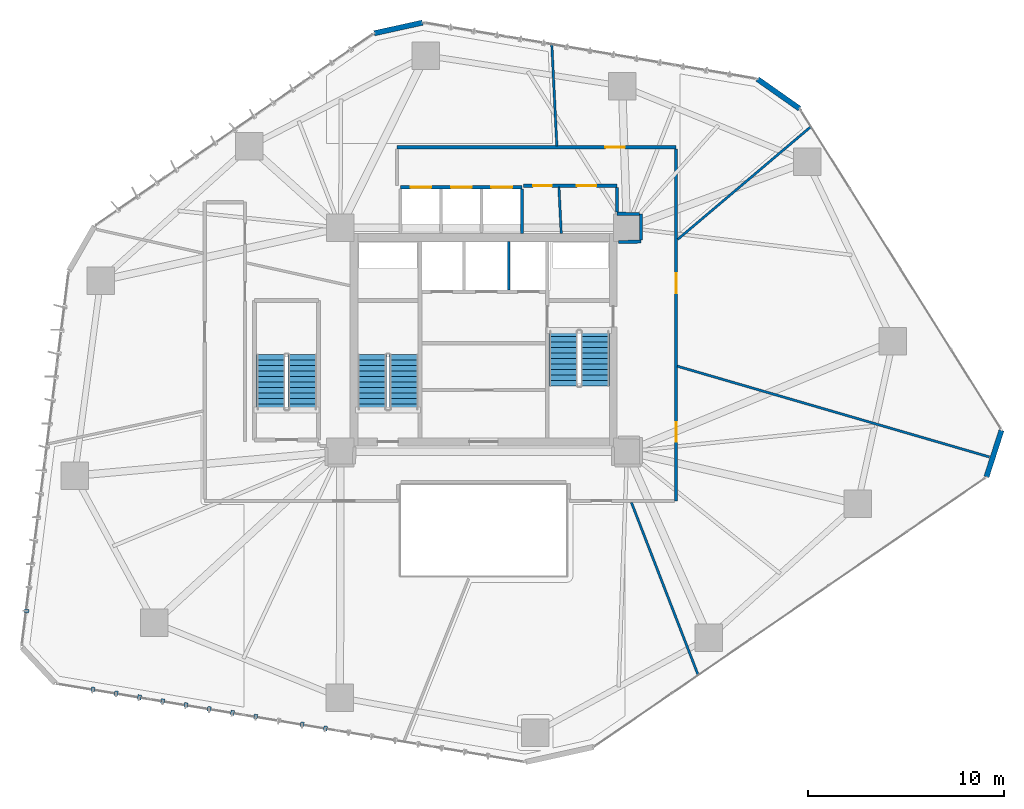
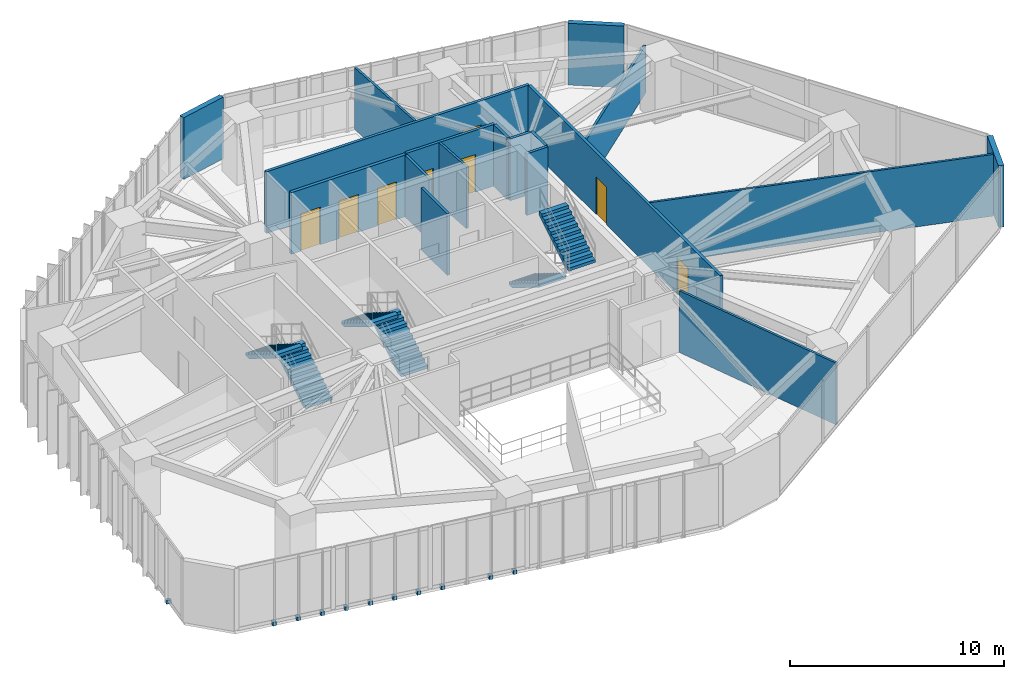
# One storey, part 18 of 21: 18 walls, 11 discrete accessories, 8 doors, 6 stair flights, 8 openings, 3 elements without a shape of their own.
"""IFC4 building model written with IfcOpenShell, lengths in metres."""

from ifc_helpers import new_model, si_unit, direction, frame, frame_2d, origin, origin_2d, place, context, subcontext, project, spatial, polyline, rectangle, outline, extrude, source, transform, mapped, material, layer, layer_set, type_object, type_shapes, element, fill, aggregate, save


model = new_model("IFC4")

# Units and contexts
model_context = context("Model", 3, precision=1e-05, world=origin(), true_north=direction((0.0, 1.0)))
body_context = subcontext(model_context, "Body", "Model", "MODEL_VIEW")
ifc_project = project(units=[si_unit("LENGTHUNIT", "METRE"), si_unit("AREAUNIT", "SQUARE_METRE"), si_unit("VOLUMEUNIT", "CUBIC_METRE"), si_unit("PLANEANGLEUNIT", "RADIAN"), si_unit("MASSUNIT", "GRAM", prefix="KILO")], contexts=[model_context])

# Site, building, storey
site_placement = place(None, origin())
site = spatial("IfcSite", under=ifc_project, at=site_placement, CompositionType="ELEMENT")
building_placement = place(site_placement, origin())
building = spatial("IfcBuilding", under=site, at=building_placement, Name="Talar Marvaseh", CompositionType="ELEMENT")
storey_placement = place(building_placement, frame((0.0, 0.0, 62.0)))
storey = spatial("IfcBuildingStorey", under=building, at=storey_placement, Name="L15", CompositionType="ELEMENT", Elevation=62.0)

# Walls
ifc_material_1 = material(Name="Precast concrete C45/55", Category="concrete")
ifc_layer_1 = layer(ifc_material_1, 0.27001953125)
ifc_layer_set_1 = layer_set([ifc_layer_1], Name="Precast concrete C45/55")
wall_type_1 = type_object("IfcWallType", Name="Chamfered Hexagonal Corner Pier Wall Z1 270", PredefinedType="SOLIDWALL", material=ifc_layer_set_1)
wall_1_placement = place(storey_placement, frame((20.43212890625, 46.802490234375, 0.0), z_axis=(0.0, 0.0, 1.0), x_axis=(0.976310187, 0.216375642716, 0.0)))
element("IfcWall", 1, at=wall_1_placement, inside=storey, type_object=wall_type_1, Name="L15 Chamfered Corner Limestone Pier 3", PredefinedType="SOLIDWALL", context=body_context, shape_type="SweptSolid", body=[
    extrude(rectangle(XDim=2.51611328125, YDim=0.27001953125, at=frame_2d((1.258056640625, 0.0))), origin(), (0.0, 0.0, 1.0), 3.52001953125),
])
wall_2_placement = place(storey_placement, frame((39.943603515625, 44.470703125, 0.0), z_axis=(0.0, 0.0, 1.0), x_axis=(0.817856705522, -0.575421940173, 0.0)))
element("IfcWall", 2, at=wall_2_placement, inside=storey, type_object=wall_type_1, Name="L15 Chamfered Corner Limestone Pier 4", PredefinedType="SOLIDWALL", context=body_context, shape_type="SweptSolid", body=[
    extrude(rectangle(XDim=2.623291015625, YDim=0.27001953125, at=frame_2d((1.3115234375, 0.0))), origin(), (0.0, 0.0, 1.0), 3.52001953125),
])
wall_3_placement = place(storey_placement, frame((52.365234375, 26.582275390625, 0.0), z_axis=(0.0, 0.0, 1.0), x_axis=(-0.307723463328, -0.951475837905, 0.0)))
element("IfcWall", 3, at=wall_3_placement, inside=storey, type_object=wall_type_1, Name="L15 Chamfered Corner Limestone Pier 5", PredefinedType="SOLIDWALL", context=body_context, shape_type="SweptSolid", body=[
    extrude(rectangle(XDim=2.484130859375, YDim=0.27001953125, at=frame_2d((1.2421875, 0.0))), origin(), (0.0, 0.0, 1.0), 3.52001953125),
])

# Wall, openings, doors
ifc_material_2 = material(Name="Gypsum Board Partition Assembly")
ifc_layer_2 = layer(ifc_material_2, 0.155029296875)
ifc_layer_set_2 = layer_set([ifc_layer_2], Name="Gypsum Board Partition Assembly")
wall_type_2 = type_object("IfcWallType", Name="Corridor Fire-Rated Acoustic Partition 155", PredefinedType="PARTITIONING", material=ifc_layer_set_2)
wall_4_placement = place(storey_placement, frame((32.800048828125, 39.0400390625, 0.0), z_axis=(0.0, 0.0, 1.0), x_axis=(-1.0, 0.0, 0.0)))
wall_4 = element("IfcWall", 4, at=wall_4_placement, inside=storey, type_object=wall_type_2, Name="L15 Interior Partition Wall", PredefinedType="PARTITIONING", context=body_context, shape_type="SweptSolid", body=[
    extrude(rectangle(XDim=4.77001953125, YDim=0.155029296875, at=frame_2d((2.385009765625, 0.0))), origin(), (0.0, 0.0, 1.0), 3.52001953125),
])
opening_1_placement = place(wall_4_placement, frame((1.056884765625, 0.0, 0.0)))
opening_1 = element("IfcOpeningElement", 5, at=opening_1_placement, cuts=wall_4, Name="Opening DR-RM100", PredefinedType="OPENING", context=body_context, shape_type="SweptSolid", body=[
    extrude(rectangle(XDim=1.0, YDim=2.14990234375, at=frame_2d((0.5, 1.074951171875))), frame((0.0, 0.08740234375, 0.0), z_axis=(0.0, -1.0, 0.0), x_axis=(1.0, 0.0, 0.0)), (0.0, 0.0, 1.0), 0.175048828125),
])
opening_2_placement = place(wall_4_placement, frame((3.326904296875, 0.0, 0.0)))
opening_2 = element("IfcOpeningElement", 6, at=opening_2_placement, cuts=wall_4, Name="Opening DR-WC095", PredefinedType="OPENING", context=body_context, shape_type="SweptSolid", body=[
    extrude(rectangle(XDim=0.949951171875, YDim=2.14990234375, at=frame_2d((0.47509765625, 1.074951171875))), frame((0.0, 0.08740234375, 0.0), z_axis=(0.0, -1.0, 0.0), x_axis=(1.0, 0.0, 0.0)), (0.0, 0.0, 1.0), 0.175048828125),
])
ifc_material_3 = material(Name="Acoustic Engineered Oak Timber", Category="wood")
door_type_1 = type_object("IfcDoorType", Name="Washroom and Service Room Door 950x2150", OperationType="NOTDEFINED", PredefinedType="DOOR", material=ifc_material_3)
shared_shape_1 = source(origin(), body_context, "Body", "SweptSolid", [
    extrude(rectangle(XDim=0.949951171875, YDim=2.14990234375, at=frame_2d((0.47509765625, 1.074951171875))), frame((0.0, 0.02490234375, 0.0), z_axis=(0.0, -1.0, 0.0), x_axis=(1.0, 0.0, 0.0)), (0.0, 0.0, 1.0), 0.050048828125),
])
type_shapes(door_type_1, [shared_shape_1])
door_1_placement = place(opening_2_placement, origin())
door_1 = element("IfcDoor", 7, at=door_1_placement, inside=storey, type_object=door_type_1, Name="L15 WC Public Washrooms Door", OperationType="SINGLE_SWING_RIGHT", OverallHeight=2.14990234375, OverallWidth=0.949951171875, PredefinedType="DOOR", context=body_context, shape_type="MappedRepresentation", body=[
    mapped(shared_shape_1, transform((0.0, 0.0, 0.0), x_axis=(1.0, 0.0, 0.0), y_axis=(0.0, 1.0, 0.0), z_axis=(0.0, 0.0, 1.0), scale=1.0)),
])
fill(opening_2, door_1)
door_type_2 = type_object("IfcDoorType", Name="Corridor Fire-Rated Gallery Door 1000x2150", OperationType="NOTDEFINED", PredefinedType="DOOR", material=ifc_material_3)
shared_shape_2 = source(origin(), body_context, "Body", "SweptSolid", [
    extrude(rectangle(XDim=1.0, YDim=2.14990234375, at=frame_2d((0.5, 1.074951171875))), frame((0.0, 0.02490234375, 0.0), z_axis=(0.0, -1.0, 0.0), x_axis=(1.0, 0.0, 0.0)), (0.0, 0.0, 1.0), 0.050048828125),
])
type_shapes(door_type_2, [shared_shape_2])
door_2_placement = place(opening_1_placement, origin())
door_2 = element("IfcDoor", 8, at=door_2_placement, inside=storey, type_object=door_type_2, Name="L15 Archival Facsimile Boutique Door", OperationType="SINGLE_SWING_LEFT", OverallHeight=2.14990234375, OverallWidth=1.0, PredefinedType="DOOR", context=body_context, shape_type="MappedRepresentation", body=[
    mapped(shared_shape_2, transform((0.0, 0.0, 0.0), x_axis=(1.0, 0.0, 0.0), y_axis=(0.0, 1.0, 0.0), z_axis=(0.0, 0.0, 1.0), scale=1.0)),
])
fill(opening_1, door_2)

# Wall, opening, door
wall_5_placement = place(storey_placement, frame((21.60009765625, 41.0, 0.0), z_axis=(0.0, 0.0, 1.0), x_axis=(1.0, 0.0, 0.0)))
wall_5 = element("IfcWall", 9, at=wall_5_placement, inside=storey, type_object=wall_type_2, Name="L15 Interior Partition Wall", PredefinedType="PARTITIONING", context=body_context, shape_type="SweptSolid", body=[
    extrude(rectangle(XDim=14.199951171875, YDim=0.155029296875, at=frame_2d((7.10009765625, 0.0))), origin(), (0.0, 0.0, 1.0), 3.52001953125),
])
opening_3_placement = place(wall_5_placement, frame((10.59423828125, 0.0, 0.0)))
opening_3 = element("IfcOpeningElement", 10, at=opening_3_placement, cuts=wall_5, Name="Opening DR-RM100", PredefinedType="OPENING", context=body_context, shape_type="SweptSolid", body=[
    extrude(rectangle(XDim=1.0, YDim=2.14990234375, at=frame_2d((0.5, 1.074951171875))), frame((0.0, 0.08740234375, 0.0), z_axis=(0.0, -1.0, 0.0), x_axis=(1.0, 0.0, 0.0)), (0.0, 0.0, 1.0), 0.175048828125),
])
door_3_placement = place(opening_3_placement, origin())
door_3 = element("IfcDoor", 11, at=door_3_placement, inside=storey, type_object=door_type_2, Name="L15 Chamber Recital Salon Door", OperationType="SINGLE_SWING_RIGHT", OverallHeight=2.14990234375, OverallWidth=1.0, PredefinedType="DOOR", context=body_context, shape_type="MappedRepresentation", body=[
    mapped(shared_shape_2, transform((0.0, 0.0, 0.0), x_axis=(1.0, 0.0, 0.0), y_axis=(0.0, 1.0, 0.0), z_axis=(0.0, 0.0, 1.0), scale=1.0)),
])
fill(opening_3, door_3)

# Wall, openings, doors
wall_6_placement = place(storey_placement, frame((35.800048828125, 40.91650390625, 0.0), z_axis=(0.0, 0.0, 1.0), x_axis=(0.0, -1.0, 0.0)))
wall_6 = element("IfcWall", 12, at=wall_6_placement, inside=storey, type_object=wall_type_2, Name="L15 Interior Partition Wall", PredefinedType="PARTITIONING", context=body_context, shape_type="SweptSolid", body=[
    extrude(rectangle(XDim=17.91650390625, YDim=0.155029296875, at=frame_2d((8.958251953125, 0.0))), origin(), (0.0, 0.0, 1.0), 3.52001953125),
])
opening_4_placement = place(wall_6_placement, frame((13.91162109375, 0.0, 0.0)))
opening_4 = element("IfcOpeningElement", 13, at=opening_4_placement, cuts=wall_6, Name="Opening DR-RM100", PredefinedType="OPENING", context=body_context, shape_type="SweptSolid", body=[
    extrude(rectangle(XDim=1.0, YDim=2.14990234375, at=frame_2d((0.5, 1.074951171875))), frame((0.0, 0.08740234375, 0.0), z_axis=(0.0, -1.0, 0.0), x_axis=(1.0, 0.0, 0.0)), (0.0, 0.0, 1.0), 0.175048828125),
])
opening_5_placement = place(wall_6_placement, frame((6.339599609375, 0.0, 0.0)))
opening_5 = element("IfcOpeningElement", 14, at=opening_5_placement, cuts=wall_6, Name="Opening DR-RM100", PredefinedType="OPENING", context=body_context, shape_type="SweptSolid", body=[
    extrude(rectangle(XDim=1.0, YDim=2.14990234375, at=frame_2d((0.5, 1.074951171875))), frame((0.0, 0.08740234375, 0.0), z_axis=(0.0, -1.0, 0.0), x_axis=(1.0, 0.0, 0.0)), (0.0, 0.0, 1.0), 0.175048828125),
])
door_4_placement = place(opening_4_placement, origin())
door_4 = element("IfcDoor", 15, at=door_4_placement, inside=storey, type_object=door_type_2, Name="L15 Main Reading Room Door", OperationType="SINGLE_SWING_RIGHT", OverallHeight=2.14990234375, OverallWidth=1.0, PredefinedType="DOOR", context=body_context, shape_type="MappedRepresentation", body=[
    mapped(shared_shape_2, transform((0.0, 0.0, 0.0), x_axis=(1.0, 0.0, 0.0), y_axis=(0.0, 1.0, 0.0), z_axis=(0.0, 0.0, 1.0), scale=1.0)),
])
fill(opening_4, door_4)
door_5_placement = place(opening_5_placement, origin())
door_5 = element("IfcDoor", 16, at=door_5_placement, inside=storey, type_object=door_type_2, Name="L15 Artisan Craft Showroom Door", OperationType="SINGLE_SWING_LEFT", OverallHeight=2.14990234375, OverallWidth=1.0, PredefinedType="DOOR", context=body_context, shape_type="MappedRepresentation", body=[
    mapped(shared_shape_2, transform((0.0, 0.0, 0.0), x_axis=(1.0, 0.0, 0.0), y_axis=(0.0, 1.0, 0.0), z_axis=(0.0, 0.0, 1.0), scale=1.0)),
])
fill(opening_5, door_5)

# Walls
wall_7_placement = place(storey_placement, frame((32.8701171875, 36.18505859375, 0.0), z_axis=(0.0, 0.0, 1.0), x_axis=(0.999988932255, 0.00470482389, 0.0)))
element("IfcWall", 17, at=wall_7_placement, inside=storey, type_object=wall_type_2, Name="L15 Interior Partition Wall", PredefinedType="PARTITIONING", context=body_context, shape_type="SweptSolid", body=[
    extrude(rectangle(XDim=1.1416015625, YDim=0.155029296875, at=frame_2d((0.57080078125, 0.0))), origin(), (0.0, 0.0, 1.0), 3.52001953125),
])
wall_8_placement = place(storey_placement, frame((34.01171875, 36.27392578125, 0.0), z_axis=(0.0, 0.0, 1.0), x_axis=(0.0, 1.0, 0.0)))
element("IfcWall", 18, at=wall_8_placement, inside=storey, type_object=wall_type_2, Name="L15 Interior Partition Wall", PredefinedType="PARTITIONING", context=body_context, shape_type="SweptSolid", body=[
    extrude(rectangle(XDim=1.335693359375, YDim=0.155029296875, at=frame_2d((0.66796875, 0.0))), origin(), (0.0, 0.0, 1.0), 3.52001953125),
])
wall_9_placement = place(storey_placement, frame((33.927978515625, 37.60986328125, 0.0), z_axis=(0.0, 0.0, 1.0), x_axis=(-0.999989669582, 0.004545407589, 0.0)))
element("IfcWall", 19, at=wall_9_placement, inside=storey, type_object=wall_type_2, Name="L15 Interior Partition Wall", PredefinedType="PARTITIONING", context=body_context, shape_type="SweptSolid", body=[
    extrude(rectangle(XDim=1.1279296875, YDim=0.155029296875, at=frame_2d((0.56396484375, 0.0))), origin(), (0.0, 0.0, 1.0), 3.52001953125),
])
wall_10_placement = place(storey_placement, frame((32.800048828125, 37.698486328125, 0.0), z_axis=(0.0, 0.0, 1.0), x_axis=(0.0, 1.0, 0.0)))
element("IfcWall", 20, at=wall_10_placement, inside=storey, type_object=wall_type_2, Name="L15 Interior Partition Wall", PredefinedType="PARTITIONING", context=body_context, shape_type="SweptSolid", body=[
    extrude(rectangle(XDim=1.258056640625, YDim=0.155029296875, at=frame_2d((0.62890625, 0.0))), origin(), (0.0, 0.0, 1.0), 3.52001953125),
])
ifc_layer_3 = layer(ifc_material_2, 0.1201171875)
ifc_layer_set_3 = layer_set([ifc_layer_3], Name="Gypsum Board Partition Assembly")
wall_type_3 = type_object("IfcWallType", Name="Demountable Studio Room Partition 120", PredefinedType="PARTITIONING", material=ifc_layer_set_3)
wall_11_placement = place(storey_placement, frame((33.522216796875, 22.91650390625, 0.0), z_axis=(0.0, 0.0, 1.0), x_axis=(0.360639472905, -0.932705296748, 0.0)))
element("IfcWall", 21, at=wall_11_placement, inside=storey, type_object=wall_type_3, Name="L15 Interior Partition Wall", PredefinedType="PARTITIONING", context=body_context, shape_type="SweptSolid", body=[
    extrude(rectangle(XDim=9.406494140625, YDim=0.1201171875, at=frame_2d((4.703125, 0.0))), origin(), (0.0, 0.0, 1.0), 3.52001953125),
])
wall_12_placement = place(storey_placement, frame((35.8623046875, 29.851806640625, 0.0), z_axis=(0.0, 0.0, 1.0), x_axis=(0.960218679085, -0.279249151005, 0.0)))
element("IfcWall", 22, at=wall_12_placement, inside=storey, type_object=wall_type_3, Name="L15 Interior Partition Wall", PredefinedType="PARTITIONING", context=body_context, shape_type="SweptSolid", body=[
    extrude(rectangle(XDim=16.545654296875, YDim=0.1201171875, at=frame_2d((8.27294921875, 0.0))), origin(), (0.0, 0.0, 1.0), 3.52001953125),
])
wall_13_placement = place(storey_placement, frame((35.883544921875, 36.310791015625, 0.0), z_axis=(0.0, 0.0, 1.0), x_axis=(0.763275499746, 0.646073147165, 0.0)))
element("IfcWall", 23, at=wall_13_placement, inside=storey, type_object=wall_type_3, Name="L15 Interior Partition Wall", PredefinedType="PARTITIONING", context=body_context, shape_type="SweptSolid", body=[
    extrude(rectangle(XDim=8.861328125, YDim=0.1201171875, at=frame_2d((4.4306640625, 0.0))), origin(), (0.0, 0.0, 1.0), 2.721923828125),
])
wall_14_placement = place(storey_placement, frame((29.726806640625, 41.06494140625, 0.0), z_axis=(0.0, 0.0, 1.0), x_axis=(-0.049550506317, 0.998771619202, 0.0)))
element("IfcWall", 24, at=wall_14_placement, inside=storey, type_object=wall_type_3, Name="L15 Interior Partition Wall", PredefinedType="PARTITIONING", context=body_context, shape_type="SweptSolid", body=[
    extrude(rectangle(XDim=5.15869140625, YDim=0.1201171875, at=frame_2d((2.579345703125, 0.0))), origin(), (0.0, 0.0, 1.0), 3.52001953125),
])
wall_15_placement = place(storey_placement, frame((29.949951171875, 36.60009765625, 0.0), z_axis=(0.0, 0.0, 1.0), x_axis=(-0.049077302831, 0.998794983141, 0.0)))
element("IfcWall", 25, at=wall_15_placement, inside=storey, type_object=wall_type_3, Name="L15 Interior Partition Wall", PredefinedType="PARTITIONING", context=body_context, shape_type="SweptSolid", body=[
    extrude(rectangle(XDim=2.3779296875, YDim=0.1201171875, at=frame_2d((1.18896484375, 0.0))), origin(), (0.0, 0.0, 1.0), 3.52001953125),
])
ifc_layer_4 = layer(ifc_material_1, 0.14501953125)
ifc_layer_set_4 = layer_set([ifc_layer_4], Name="Precast concrete C45/55")
wall_type_4 = type_object("IfcWallType", Name="Fire-Rated Lift Divider Wall 145", PredefinedType="SOLIDWALL", material=ifc_layer_set_4)
wall_16_placement = place(storey_placement, frame((27.280029296875, 33.743408203125, 0.0), z_axis=(0.0, 0.0, 1.0), x_axis=(0.0, 1.0, 0.0)))
element("IfcWall", 26, at=wall_16_placement, inside=storey, type_object=wall_type_4, Name="L15 FFL-2/SVL-1 Divider", PredefinedType="SOLIDWALL", context=body_context, shape_type="SweptSolid", body=[
    extrude(rectangle(XDim=2.45654296875, YDim=0.14501953125, at=frame_2d((1.228271484375, 0.0))), origin(), (0.0, 0.0, 1.0), 3.52001953125),
])
wall_17_placement = place(storey_placement, frame((27.9599609375, 36.60009765625, 0.0), z_axis=(0.0, 0.0, 1.0), x_axis=(0.0, 1.0, 0.0)))
element("IfcWall", 27, at=wall_17_placement, inside=storey, type_object=wall_type_4, Name="L15 Low-Rise Bank East Wall", PredefinedType="SOLIDWALL", context=body_context, shape_type="SweptSolid", body=[
    extrude(rectangle(XDim=2.266357421875, YDim=0.14501953125, at=frame_2d((1.13330078125, 0.0))), origin(), (0.0, 0.0, 1.0), 3.52001953125),
])

# Wall, openings, doors
ifc_layer_5 = layer(ifc_material_1, 0.175048828125)
ifc_layer_set_5 = layer_set([ifc_layer_5], Name="Precast concrete C45/55")
wall_type_5 = type_object("IfcWallType", Name="Fire-Rated Lift Hoistway Enclosure Wall 175", PredefinedType="SOLIDWALL", material=ifc_layer_set_5)
wall_18_placement = place(storey_placement, frame((21.760009765625, 38.9599609375, 0.0), z_axis=(0.0, 0.0, 1.0), x_axis=(1.0, 0.0, 0.0)))
wall_18 = element("IfcWall", 28, at=wall_18_placement, inside=storey, type_object=wall_type_5, Name="L15 Low-Rise Lift Bank Front Wall", PredefinedType="SOLIDWALL", context=body_context, shape_type="SweptSolid", body=[
    extrude(rectangle(XDim=6.199951171875, YDim=0.175048828125, at=frame_2d((3.10009765625, 0.0))), origin(), (0.0, 0.0, 1.0), 3.52001953125),
])
opening_6_placement = place(wall_18_placement, frame((0.52001953125, 0.0, 0.0)))
opening_6 = element("IfcOpeningElement", 29, at=opening_6_placement, cuts=wall_18, Name="Opening LD-PLL1", PredefinedType="OPENING", context=body_context, shape_type="SweptSolid", body=[
    extrude(rectangle(XDim=1.050048828125, YDim=2.14990234375, at=frame_2d((0.52490234375, 1.074951171875))), frame((0.0, 0.09765625, 0.0), z_axis=(0.0, -1.0, 0.0), x_axis=(1.0, 0.0, 0.0)), (0.0, 0.0, 1.0), 0.195068359375),
])
opening_7_placement = place(wall_18_placement, frame((2.580078125, 0.0, 0.0)))
opening_7 = element("IfcOpeningElement", 30, at=opening_7_placement, cuts=wall_18, Name="Opening LD-PLL2", PredefinedType="OPENING", context=body_context, shape_type="SweptSolid", body=[
    extrude(rectangle(XDim=1.050048828125, YDim=2.14990234375, at=frame_2d((0.52490234375, 1.074951171875))), frame((0.0, 0.09765625, 0.0), z_axis=(0.0, -1.0, 0.0), x_axis=(1.0, 0.0, 0.0)), (0.0, 0.0, 1.0), 0.195068359375),
])
opening_8_placement = place(wall_18_placement, frame((4.639892578125, 0.0, 0.0)))
opening_8 = element("IfcOpeningElement", 31, at=opening_8_placement, cuts=wall_18, Name="Opening LD-PLL3", PredefinedType="OPENING", context=body_context, shape_type="SweptSolid", body=[
    extrude(rectangle(XDim=1.050048828125, YDim=2.14990234375, at=frame_2d((0.52490234375, 1.074951171875))), frame((0.0, 0.09765625, 0.0), z_axis=(0.0, -1.0, 0.0), x_axis=(1.0, 0.0, 0.0)), (0.0, 0.0, 1.0), 0.195068359375),
])
ifc_material_4 = material(Name="Stainless Steel Grade 316", Category="steel")
door_type_3 = type_object("IfcDoorType", Name="Automatic Sliding Lift Landing Door 1050x2150", OperationType="NOTDEFINED", PredefinedType="DOOR", material=ifc_material_4)
shared_shape_3 = source(origin(), body_context, "Body", "SweptSolid", [
    extrude(rectangle(XDim=1.050048828125, YDim=2.14990234375, at=frame_2d((0.52490234375, 1.074951171875))), frame((0.0, 0.02490234375, 0.0), z_axis=(0.0, -1.0, 0.0), x_axis=(1.0, 0.0, 0.0)), (0.0, 0.0, 1.0), 0.050048828125),
])
type_shapes(door_type_3, [shared_shape_3])
door_6_placement = place(opening_6_placement, origin())
door_6 = element("IfcDoor", 32, at=door_6_placement, inside=storey, type_object=door_type_3, Name="L15 Lift PL-L1 Sliding Landing Door", OperationType="SLIDING_TO_LEFT", OverallHeight=2.14990234375, OverallWidth=1.050048828125, PredefinedType="DOOR", context=body_context, shape_type="MappedRepresentation", body=[
    mapped(shared_shape_3, transform((0.0, 0.0, 0.0), x_axis=(1.0, 0.0, 0.0), y_axis=(0.0, 1.0, 0.0), z_axis=(0.0, 0.0, 1.0), scale=1.0)),
])
fill(opening_6, door_6)
door_7_placement = place(opening_7_placement, origin())
door_7 = element("IfcDoor", 33, at=door_7_placement, inside=storey, type_object=door_type_3, Name="L15 Lift PL-L2 Sliding Landing Door", OperationType="SLIDING_TO_LEFT", OverallHeight=2.14990234375, OverallWidth=1.050048828125, PredefinedType="DOOR", context=body_context, shape_type="MappedRepresentation", body=[
    mapped(shared_shape_3, transform((0.0, 0.0, 0.0), x_axis=(1.0, 0.0, 0.0), y_axis=(0.0, 1.0, 0.0), z_axis=(0.0, 0.0, 1.0), scale=1.0)),
])
fill(opening_7, door_7)
door_8_placement = place(opening_8_placement, origin())
door_8 = element("IfcDoor", 34, at=door_8_placement, inside=storey, type_object=door_type_3, Name="L15 Lift PL-L3 Sliding Landing Door", OperationType="SLIDING_TO_LEFT", OverallHeight=2.14990234375, OverallWidth=1.050048828125, PredefinedType="DOOR", context=body_context, shape_type="MappedRepresentation", body=[
    mapped(shared_shape_3, transform((0.0, 0.0, 0.0), x_axis=(1.0, 0.0, 0.0), y_axis=(0.0, 1.0, 0.0), z_axis=(0.0, 0.0, 1.0), scale=1.0)),
])
fill(opening_8, door_8)

# Stair, stair flights
ifc_material_5 = material(Name="Concrete C40/50", Category="concrete")
stair_type = type_object("IfcStairType", Name="Reinforced Concrete Half-Turn Exit Stair Type B", PredefinedType="HALF_TURN_STAIR", material=ifc_material_5)
stair_1_placement = place(storey_placement, origin())
stair_1 = element("IfcStair", 35, at=stair_1_placement, inside=storey, type_object=stair_type, Name="L15 Tower West Core Exit Stair", PredefinedType="HALF_TURN_STAIR")
ifc_layer_6 = layer(ifc_material_5, 0.159912109375)
ifc_layer_set_6 = layer_set([ifc_layer_6], Name="Concrete C40/50")
stair_flight_type = type_object("IfcStairFlightType", Name="Reinforced Concrete Straight Stair Flight 160", PredefinedType="STRAIGHT", material=ifc_layer_set_6)
stair_flight_1_placement = place(storey_placement, frame((21.93505859375, 27.64990234375, 0.0), z_axis=(0.0, 0.0, 1.0), x_axis=(0.0, 1.0, 0.0)))
stair_flight_1 = element("IfcStairFlight", 36, at=stair_flight_1_placement, type_object=stair_flight_type, Name="ST-1 flight 1", NumberOfRisers=11, NumberOfTreads=10, PredefinedType="STRAIGHT", RiserHeight=0.172727273, TreadLength=0.28, context=body_context, shape_type="SweptSolid", body=[
    extrude(outline(polyline([(0.0, 0.0), (0.0, 0.172607421875), (0.280029296875, 0.172607421875), (0.280029296875, 0.345458984375), (0.56005859375, 0.345458984375), (0.56005859375, 0.51806640625), (0.840087890625, 0.51806640625), (0.840087890625, 0.69091796875), (1.1201171875, 0.69091796875), (1.1201171875, 0.863525390625), (1.39990234375, 0.863525390625), (1.39990234375, 1.036376953125), (1.679931640625, 1.036376953125), (1.679931640625, 1.208984375), (1.9599609375, 1.208984375), (1.9599609375, 1.3818359375), (2.239990234375, 1.3818359375), (2.239990234375, 1.554443359375), (2.52001953125, 1.554443359375), (2.52001953125, 1.727294921875), (2.800048828125, 1.727294921875), (2.800048828125, 1.89990234375), (2.800048828125, 1.539306640625), (0.3046875, 0.0), (0.0, 0.0)])), frame((0.0, 0.72509765625, 0.0), z_axis=(0.0, -1.0, 0.0), x_axis=(1.0, 0.0, 0.0)), (0.0, 0.0, 1.0), 1.449951171875),
])
stair_flight_2_placement = place(storey_placement, frame((20.324951171875, 30.449951171875, 1.89990234375), z_axis=(0.0, 0.0, 1.0), x_axis=(0.0, -1.0, 0.0)))
stair_flight_2 = element("IfcStairFlight", 37, at=stair_flight_2_placement, type_object=stair_flight_type, Name="ST-1 flight 2", NumberOfRisers=11, NumberOfTreads=10, PredefinedType="STRAIGHT", RiserHeight=0.172727273, TreadLength=0.28, context=body_context, shape_type="SweptSolid", body=[
    extrude(outline(polyline([(0.0, 0.0), (0.0, 0.172607421875), (0.280029296875, 0.172607421875), (0.280029296875, 0.345458984375), (0.56005859375, 0.345458984375), (0.56005859375, 0.51806640625), (0.840087890625, 0.51806640625), (0.840087890625, 0.69091796875), (1.1201171875, 0.69091796875), (1.1201171875, 0.863525390625), (1.39990234375, 0.863525390625), (1.39990234375, 1.036376953125), (1.679931640625, 1.036376953125), (1.679931640625, 1.208984375), (1.9599609375, 1.208984375), (1.9599609375, 1.3818359375), (2.239990234375, 1.3818359375), (2.239990234375, 1.554443359375), (2.52001953125, 1.554443359375), (2.52001953125, 1.727294921875), (2.800048828125, 1.727294921875), (2.800048828125, 1.89990234375), (2.800048828125, 1.539306640625), (0.3046875, 0.0), (0.0, 0.0)])), frame((0.0, 0.72509765625, 0.0), z_axis=(0.0, -1.0, 0.0), x_axis=(1.0, 0.0, 0.0)), (0.0, 0.0, 1.0), 1.449951171875),
])
aggregate(stair_1, [stair_flight_1, stair_flight_2])

stair_2_placement = place(storey_placement, origin())
stair_2 = element("IfcStair", 38, at=stair_2_placement, inside=storey, type_object=stair_type, Name="L15 Tower East Core Exit Stair", PredefinedType="HALF_TURN_STAIR")
stair_flight_3_placement = place(storey_placement, frame((30.06494140625, 31.64990234375, 0.0), z_axis=(0.0, 0.0, 1.0), x_axis=(0.0, -1.0, 0.0)))
stair_flight_3 = element("IfcStairFlight", 39, at=stair_flight_3_placement, type_object=stair_flight_type, Name="ST-2 flight 1", NumberOfRisers=11, NumberOfTreads=10, PredefinedType="STRAIGHT", RiserHeight=0.172727273, TreadLength=0.28, context=body_context, shape_type="SweptSolid", body=[
    extrude(outline(polyline([(0.0, 0.0), (0.0, 0.172607421875), (0.280029296875, 0.172607421875), (0.280029296875, 0.345458984375), (0.56005859375, 0.345458984375), (0.56005859375, 0.51806640625), (0.840087890625, 0.51806640625), (0.840087890625, 0.69091796875), (1.1201171875, 0.69091796875), (1.1201171875, 0.863525390625), (1.39990234375, 0.863525390625), (1.39990234375, 1.036376953125), (1.679931640625, 1.036376953125), (1.679931640625, 1.208984375), (1.9599609375, 1.208984375), (1.9599609375, 1.3818359375), (2.239990234375, 1.3818359375), (2.239990234375, 1.554443359375), (2.52001953125, 1.554443359375), (2.52001953125, 1.727294921875), (2.800048828125, 1.727294921875), (2.800048828125, 1.89990234375), (2.800048828125, 1.539306640625), (0.3046875, 0.0), (0.0, 0.0)])), frame((0.0, 0.72509765625, 0.0), z_axis=(0.0, -1.0, 0.0), x_axis=(1.0, 0.0, 0.0)), (0.0, 0.0, 1.0), 1.449951171875),
])
stair_flight_4_placement = place(storey_placement, frame((31.675048828125, 28.85009765625, 1.89990234375), z_axis=(0.0, 0.0, 1.0), x_axis=(0.0, 1.0, 0.0)))
stair_flight_4 = element("IfcStairFlight", 40, at=stair_flight_4_placement, type_object=stair_flight_type, Name="ST-2 flight 2", NumberOfRisers=11, NumberOfTreads=10, PredefinedType="STRAIGHT", RiserHeight=0.172727273, TreadLength=0.28, context=body_context, shape_type="SweptSolid", body=[
    extrude(outline(polyline([(0.0, 0.0), (0.0, 0.172607421875), (0.280029296875, 0.172607421875), (0.280029296875, 0.345458984375), (0.56005859375, 0.345458984375), (0.56005859375, 0.51806640625), (0.840087890625, 0.51806640625), (0.840087890625, 0.69091796875), (1.1201171875, 0.69091796875), (1.1201171875, 0.863525390625), (1.39990234375, 0.863525390625), (1.39990234375, 1.036376953125), (1.679931640625, 1.036376953125), (1.679931640625, 1.208984375), (1.9599609375, 1.208984375), (1.9599609375, 1.3818359375), (2.239990234375, 1.3818359375), (2.239990234375, 1.554443359375), (2.52001953125, 1.554443359375), (2.52001953125, 1.727294921875), (2.800048828125, 1.727294921875), (2.800048828125, 1.89990234375), (2.800048828125, 1.539306640625), (0.3046875, 0.0), (0.0, 0.0)])), frame((0.0, 0.72509765625, 0.0), z_axis=(0.0, -1.0, 0.0), x_axis=(1.0, 0.0, 0.0)), (0.0, 0.0, 1.0), 1.449951171875),
])
aggregate(stair_2, [stair_flight_3, stair_flight_4])

stair_3_placement = place(storey_placement, origin())
stair_3 = element("IfcStair", 41, at=stair_3_placement, inside=storey, type_object=stair_type, Name="L15 Museum & Podium Auxiliary Exit Stair", PredefinedType="HALF_TURN_STAIR")
stair_flight_5_placement = place(storey_placement, frame((16.77490234375, 27.64990234375, 0.0), z_axis=(0.0, 0.0, 1.0), x_axis=(0.0, 1.0, 0.0)))
stair_flight_5 = element("IfcStairFlight", 42, at=stair_flight_5_placement, type_object=stair_flight_type, Name="ST-3 flight 1", NumberOfRisers=11, NumberOfTreads=10, PredefinedType="STRAIGHT", RiserHeight=0.172727273, TreadLength=0.28, context=body_context, shape_type="SweptSolid", body=[
    extrude(outline(polyline([(0.0, 0.0), (0.0, 0.172607421875), (0.280029296875, 0.172607421875), (0.280029296875, 0.345458984375), (0.56005859375, 0.345458984375), (0.56005859375, 0.51806640625), (0.840087890625, 0.51806640625), (0.840087890625, 0.69091796875), (1.1201171875, 0.69091796875), (1.1201171875, 0.863525390625), (1.39990234375, 0.863525390625), (1.39990234375, 1.036376953125), (1.679931640625, 1.036376953125), (1.679931640625, 1.208984375), (1.9599609375, 1.208984375), (1.9599609375, 1.3818359375), (2.239990234375, 1.3818359375), (2.239990234375, 1.554443359375), (2.52001953125, 1.554443359375), (2.52001953125, 1.727294921875), (2.800048828125, 1.727294921875), (2.800048828125, 1.89990234375), (2.800048828125, 1.539306640625), (0.3046875, 0.0), (0.0, 0.0)])), frame((0.0, 0.72509765625, 0.0), z_axis=(0.0, -1.0, 0.0), x_axis=(1.0, 0.0, 0.0)), (0.0, 0.0, 1.0), 1.449951171875),
])
stair_flight_6_placement = place(storey_placement, frame((15.1650390625, 30.449951171875, 1.89990234375), z_axis=(0.0, 0.0, 1.0), x_axis=(0.0, -1.0, 0.0)))
stair_flight_6 = element("IfcStairFlight", 43, at=stair_flight_6_placement, type_object=stair_flight_type, Name="ST-3 flight 2", NumberOfRisers=11, NumberOfTreads=10, PredefinedType="STRAIGHT", RiserHeight=0.172727273, TreadLength=0.28, context=body_context, shape_type="SweptSolid", body=[
    extrude(outline(polyline([(0.0, 0.0), (0.0, 0.172607421875), (0.280029296875, 0.172607421875), (0.280029296875, 0.345458984375), (0.56005859375, 0.345458984375), (0.56005859375, 0.51806640625), (0.840087890625, 0.51806640625), (0.840087890625, 0.69091796875), (1.1201171875, 0.69091796875), (1.1201171875, 0.863525390625), (1.39990234375, 0.863525390625), (1.39990234375, 1.036376953125), (1.679931640625, 1.036376953125), (1.679931640625, 1.208984375), (1.9599609375, 1.208984375), (1.9599609375, 1.3818359375), (2.239990234375, 1.3818359375), (2.239990234375, 1.554443359375), (2.52001953125, 1.554443359375), (2.52001953125, 1.727294921875), (2.800048828125, 1.727294921875), (2.800048828125, 1.89990234375), (2.800048828125, 1.539306640625), (0.3046875, 0.0), (0.0, 0.0)])), frame((0.0, 0.72509765625, 0.0), z_axis=(0.0, -1.0, 0.0), x_axis=(1.0, 0.0, 0.0)), (0.0, 0.0, 1.0), 1.449951171875),
])
aggregate(stair_3, [stair_flight_5, stair_flight_6])

# Discrete accessories
discrete_accessory_type = type_object("IfcDiscreteAccessoryType", Name="Stainless Slab-Edge Fin Mounting Bracket", PredefinedType="BRACKET", material=ifc_material_4)
shared_shape_4 = source(origin(), body_context, "Body", "SweptSolid", [
    extrude(rectangle(XDim=0.239990234375, YDim=0.179931640625, at=origin_2d()), origin(), (0.0, 0.0, 1.0), 0.199951171875),
])
type_shapes(discrete_accessory_type, [shared_shape_4])
for number, where, z_axis, x_axis, name in (
    (44, (2.725341796875, 17.390625, -0.18017578125), (0.0, 0.0, 1.0), (-0.992223697411, 0.124467402546, 0.0), "L15 Vertical Fin Slab-Edge Bracket"),
    (45, (17.944580078125, 11.4140625, -0.18017578125), (0.0, 0.0, 1.0), (-0.164875464037, -0.986314392757, 0.0), "L15 Vertical Fin Slab-Edge Bracket"),
    (46, (16.760986328125, 11.612060546875, -0.18017578125), (0.0, 0.0, 1.0), (-0.164875464037, -0.986314392757, 0.0), "L15 Vertical Fin Slab-Edge Bracket"),
    (47, (14.39404296875, 12.0078125, -0.18017578125), (0.0, 0.0, 1.0), (-0.164875464037, -0.986314392757, 0.0), "L15 Vertical Fin Slab-Edge Bracket"),
    (48, (13.21044921875, 12.20556640625, -0.18017578125), (0.0, 0.0, 1.0), (-0.164875464037, -0.986314392757, 0.0), "L15 Vertical Fin Slab-Edge Bracket"),
    (49, (12.02685546875, 12.403564453125, -0.18017578125), (0.0, 0.0, 1.0), (-0.164875464037, -0.986314392757, 0.0), "L15 Vertical Fin Slab-Edge Bracket"),
    (50, (10.84326171875, 12.601318359375, -0.18017578125), (0.0, 0.0, 1.0), (-0.164875464037, -0.986314392757, 0.0), "L15 Vertical Fin Slab-Edge Bracket"),
    (51, (9.65966796875, 12.79931640625, -0.18017578125), (0.0, 0.0, 1.0), (-0.164875464037, -0.986314392757, 0.0), "L15 Vertical Fin Slab-Edge Bracket"),
    (52, (8.47607421875, 12.9970703125, -0.18017578125), (0.0, 0.0, 1.0), (-0.164875464037, -0.986314392757, 0.0), "L15 Vertical Fin Slab-Edge Bracket"),
    (53, (7.29248046875, 13.195068359375, -0.18017578125), (0.0, 0.0, 1.0), (-0.164875464037, -0.986314392757, 0.0), "L15 Vertical Fin Slab-Edge Bracket"),
    (54, (6.10888671875, 13.392822265625, -0.18017578125), (0.0, 0.0, 1.0), (-0.164875464037, -0.986314392757, 0.0), "L15 Vertical Fin Slab-Edge Bracket"),
):
    element("IfcDiscreteAccessory", number, at=place(storey_placement, frame(where, z_axis=z_axis, x_axis=x_axis)), inside=storey, type_object=discrete_accessory_type, Name=name, PredefinedType="BRACKET", context=body_context, shape_type="MappedRepresentation", body=[
        mapped(shared_shape_4, transform((0.0, 0.0, 0.0), x_axis=(1.0, 0.0, 0.0), y_axis=(0.0, 1.0, 0.0), z_axis=(0.0, 0.0, 1.0), scale=1.0)),
    ])

save(model, "model.ifc")
